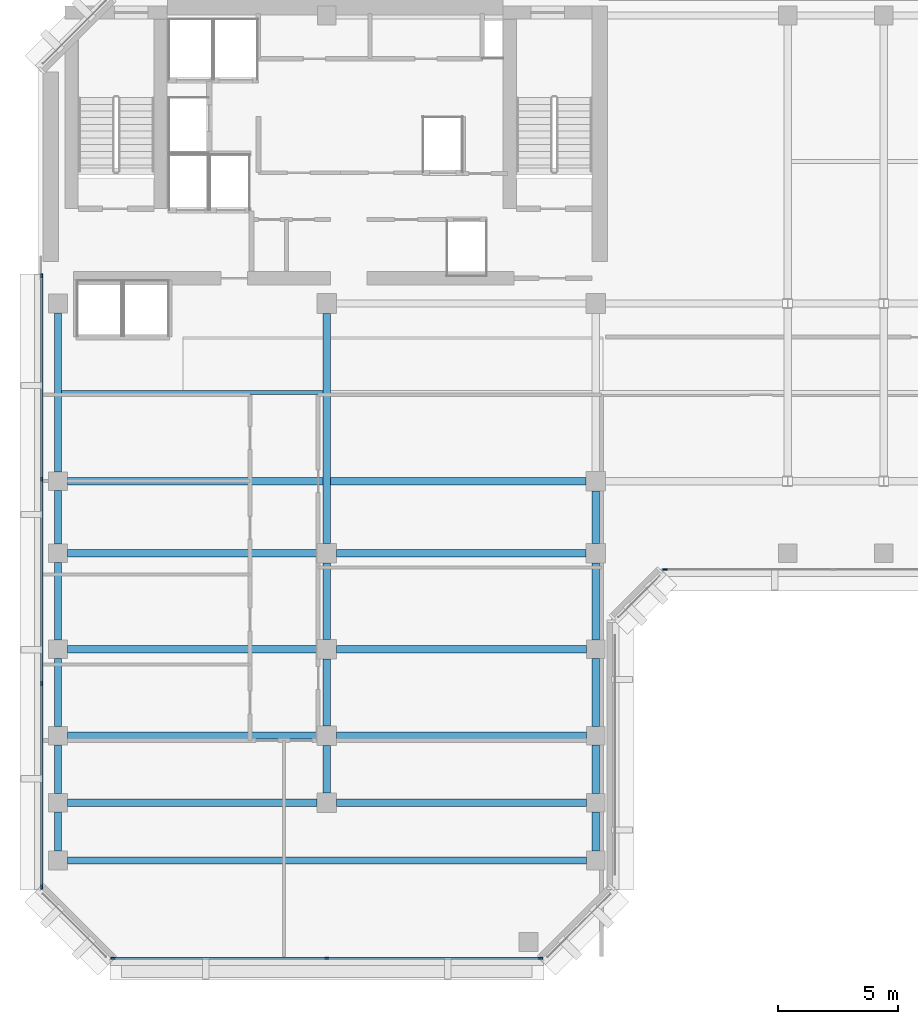
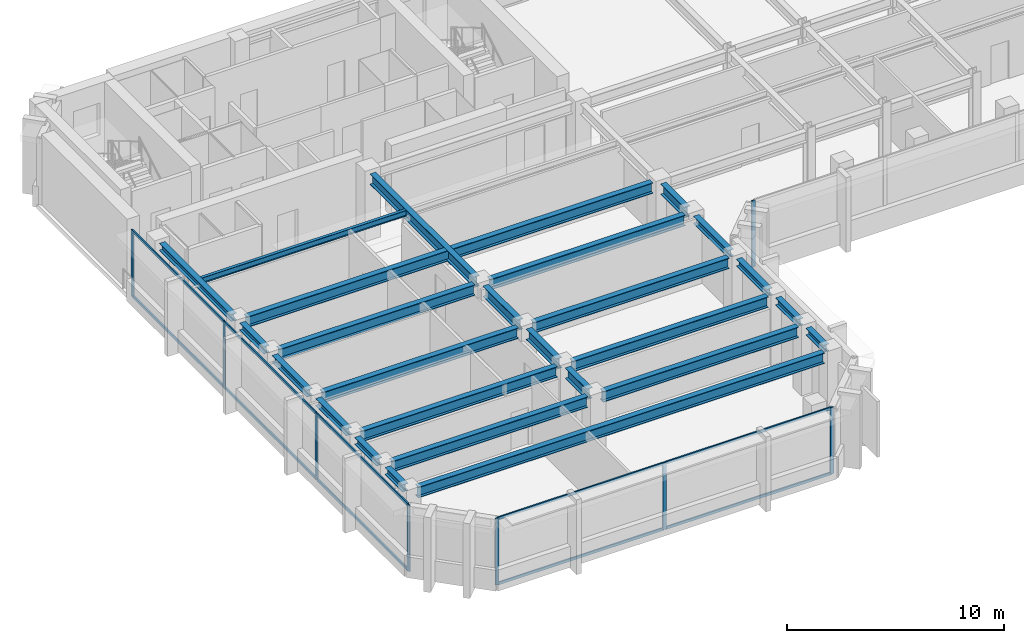
# One storey, part 2 of 12: 26 beams, 18 members, 3 elements without a shape of their own.
"""IFC4 building model written with IfcOpenShell, lengths in metres."""

from ifc_helpers import new_model, si_unit, direction, frame, origin, origin_2d, place, context, subcontext, project, spatial, rectangle, i_section, extrude, material, layer, layer_set, material_profile, profile_set, type_object, element, aggregate, save


model = new_model("IFC4")

# Units and contexts
model_context = context("Model", 3, precision=1e-05, world=origin(), true_north=direction((0.0, 1.0)))
body_context = subcontext(model_context, "Body", "Model", "MODEL_VIEW")
ifc_project = project(units=[si_unit("LENGTHUNIT", "METRE"), si_unit("AREAUNIT", "SQUARE_METRE"), si_unit("VOLUMEUNIT", "CUBIC_METRE"), si_unit("PLANEANGLEUNIT", "RADIAN"), si_unit("MASSUNIT", "GRAM", prefix="KILO")], contexts=[model_context])

# Site, building, storey
site_placement = place(None, origin())
site = spatial("IfcSite", under=ifc_project, at=site_placement, CompositionType="ELEMENT")
building_placement = place(site_placement, origin())
building = spatial("IfcBuilding", under=site, at=building_placement, Name="Kefirva Bronze Tower", CompositionType="ELEMENT")
storey_placement = place(building_placement, frame((0.0, 0.0, 268.2900390625)))
storey = spatial("IfcBuildingStorey", under=building, at=storey_placement, Name="L65", CompositionType="ELEMENT", Elevation=268.2900390625)

# Curtain wall, members
ifc_material_1 = material(Name="Bronze anodised aluminium", Category="aluminium")
ifc_layer = layer(ifc_material_1, 0.179931640625, Name="Bronze anodised aluminium")
ifc_layer_set = layer_set([ifc_layer], Name="Bronze anodised aluminium")
curtain_wall_type = type_object("IfcCurtainWallType", Name="Unitised Bronze Ribbon Curtain Wall Zone 3", PredefinedType="USERDEFINED", material=ifc_layer_set)
curtain_wall_1_placement = place(storey_placement, origin())
curtain_wall_1 = element("IfcCurtainWall", 1, at=curtain_wall_1_placement, inside=storey, type_object=curtain_wall_type, Name="L65 Curtain Wall 1", ObjectType="UNITISED CURTAIN WALL", PredefinedType="USERDEFINED")
ifc_material_profile_1 = material_profile(ifc_material_1, rectangle(XDim=0.074951171875, YDim=0.179931640625, at=origin_2d()), Name="ALU 75x180")
ifc_profile_set_1 = profile_set([ifc_material_profile_1], Name="Bronze anodised aluminium")
member_type_1 = type_object("IfcMemberType", Name="Bronze Mullion 75x180", PredefinedType="MULLION", material=ifc_profile_set_1)
member_1_placement = place(storey_placement, frame((3.092529296875, 5.919921875, 0.0), z_axis=(0.0, 0.0, 1.0), x_axis=(0.0, 1.0, 0.0)))
member_1 = element("IfcMember", 2, at=member_1_placement, type_object=member_type_1, Name="CW-03 mullion 1", PredefinedType="MULLION", context=body_context, shape_type="SweptSolid", body=[
    extrude(rectangle(XDim=0.074951171875, YDim=0.179931640625, at=origin_2d()), origin(), (0.0, 0.0, 1.0), 3.739990234375),
])
member_2_placement = place(storey_placement, frame((12.0, 5.919921875, 0.0), z_axis=(0.0, 0.0, 1.0), x_axis=(0.0, 1.0, 0.0)))
member_2 = element("IfcMember", 3, at=member_2_placement, type_object=member_type_1, Name="CW-03 mullion 2", PredefinedType="MULLION", context=body_context, shape_type="SweptSolid", body=[
    extrude(rectangle(XDim=0.074951171875, YDim=0.179931640625, at=origin_2d()), origin(), (0.0, 0.0, 1.0), 3.739990234375),
])
member_3_placement = place(storey_placement, frame((20.907470703125, 5.919921875, 0.0), z_axis=(0.0, 0.0, 1.0), x_axis=(0.0, 1.0, 0.0)))
member_3 = element("IfcMember", 4, at=member_3_placement, type_object=member_type_1, Name="CW-03 mullion 3", PredefinedType="MULLION", context=body_context, shape_type="SweptSolid", body=[
    extrude(rectangle(XDim=0.074951171875, YDim=0.179931640625, at=origin_2d()), origin(), (0.0, 0.0, 1.0), 3.739990234375),
])

# Curtain wall, member
curtain_wall_2_placement = place(storey_placement, origin())
curtain_wall_2 = element("IfcCurtainWall", 5, at=curtain_wall_2_placement, inside=storey, type_object=curtain_wall_type, Name="L65 Curtain Wall 2", ObjectType="UNITISED CURTAIN WALL", PredefinedType="USERDEFINED")
member_4_placement = place(storey_placement, frame((26.092529296875, 22.1201171875, 0.0), z_axis=(0.0, 0.0, 1.0), x_axis=(0.0, 1.0, 0.0)))
member_4 = element("IfcMember", 6, at=member_4_placement, type_object=member_type_1, Name="CW-03 mullion 1", PredefinedType="MULLION", context=body_context, shape_type="SweptSolid", body=[
    extrude(rectangle(XDim=0.074951171875, YDim=0.179931640625, at=origin_2d()), origin(), (0.0, 0.0, 1.0), 3.739990234375),
])
aggregate(curtain_wall_2, [member_4])

# Curtain wall, members
curtain_wall_3_placement = place(storey_placement, origin())
curtain_wall_3 = element("IfcCurtainWall", 7, at=curtain_wall_3_placement, inside=storey, type_object=curtain_wall_type, Name="L65 Curtain Wall 5", ObjectType="UNITISED CURTAIN WALL", PredefinedType="USERDEFINED")
member_5_placement = place(storey_placement, frame((0.1201171875, 34.357421875, 0.0), z_axis=(0.0, 0.0, 1.0), x_axis=(1.0, 0.0, 0.0)))
member_5 = element("IfcMember", 8, at=member_5_placement, type_object=member_type_1, Name="CW-03 mullion 1", PredefinedType="MULLION", context=body_context, shape_type="SweptSolid", body=[
    extrude(rectangle(XDim=0.074951171875, YDim=0.179931640625, at=origin_2d()), origin(), (0.0, 0.0, 1.0), 3.739990234375),
])
member_6_placement = place(storey_placement, frame((0.1201171875, 25.881591796875, 0.0), z_axis=(0.0, 0.0, 1.0), x_axis=(1.0, 0.0, 0.0)))
member_6 = element("IfcMember", 9, at=member_6_placement, type_object=member_type_1, Name="CW-03 mullion 2", PredefinedType="MULLION", context=body_context, shape_type="SweptSolid", body=[
    extrude(rectangle(XDim=0.074951171875, YDim=0.179931640625, at=origin_2d()), origin(), (0.0, 0.0, 1.0), 3.739990234375),
])
member_7_placement = place(storey_placement, frame((0.1201171875, 17.368408203125, 0.0), z_axis=(0.0, 0.0, 1.0), x_axis=(1.0, 0.0, 0.0)))
member_7 = element("IfcMember", 10, at=member_7_placement, type_object=member_type_1, Name="CW-03 mullion 3", PredefinedType="MULLION", context=body_context, shape_type="SweptSolid", body=[
    extrude(rectangle(XDim=0.074951171875, YDim=0.179931640625, at=origin_2d()), origin(), (0.0, 0.0, 1.0), 3.739990234375),
])
member_8_placement = place(storey_placement, frame((0.1201171875, 8.892578125, 0.0), z_axis=(0.0, 0.0, 1.0), x_axis=(1.0, 0.0, 0.0)))
member_8 = element("IfcMember", 11, at=member_8_placement, type_object=member_type_1, Name="CW-03 mullion 4", PredefinedType="MULLION", context=body_context, shape_type="SweptSolid", body=[
    extrude(rectangle(XDim=0.074951171875, YDim=0.179931640625, at=origin_2d()), origin(), (0.0, 0.0, 1.0), 3.739990234375),
])

# Member
ifc_material_profile_2 = material_profile(ifc_material_1, rectangle(XDim=0.074951171875, YDim=0.14990234375, at=origin_2d()), Name="ALU 75x150")
ifc_profile_set_2 = profile_set([ifc_material_profile_2], Name="Bronze anodised aluminium")
member_type_2 = type_object("IfcMemberType", Name="Bronze Transom 75x150", PredefinedType="USERDEFINED", material=ifc_profile_set_2)
member_9_placement = place(storey_placement, frame((3.1298828125, 5.919921875, 0.037353515625), z_axis=(1.0, 0.0, 0.0), x_axis=(0.0, 1.0, 0.0)))
member_9 = element("IfcMember", 12, at=member_9_placement, type_object=member_type_2, Name="CW-03 transom 1.1", ObjectType="TRANSOM", PredefinedType="USERDEFINED", context=body_context, shape_type="SweptSolid", body=[
    extrude(rectangle(XDim=0.074951171875, YDim=0.14990234375, at=origin_2d()), origin(), (0.0, 0.0, 1.0), 8.83251953125),
])

member_10_placement = place(storey_placement, frame((3.1298828125, 5.919921875, 3.702392578125), z_axis=(1.0, 0.0, 0.0), x_axis=(0.0, 1.0, 0.0)))
member_10 = element("IfcMember", 13, at=member_10_placement, type_object=member_type_2, Name="CW-03 transom 1.2", ObjectType="TRANSOM", PredefinedType="USERDEFINED", context=body_context, shape_type="SweptSolid", body=[
    extrude(rectangle(XDim=0.074951171875, YDim=0.14990234375, at=origin_2d()), origin(), (0.0, 0.0, 1.0), 8.83251953125),
])

member_11_placement = place(storey_placement, frame((12.03759765625, 5.919921875, 0.037353515625), z_axis=(1.0, 0.0, 0.0), x_axis=(0.0, 1.0, 0.0)))
member_11 = element("IfcMember", 14, at=member_11_placement, type_object=member_type_2, Name="CW-03 transom 2.1", ObjectType="TRANSOM", PredefinedType="USERDEFINED", context=body_context, shape_type="SweptSolid", body=[
    extrude(rectangle(XDim=0.074951171875, YDim=0.14990234375, at=origin_2d()), origin(), (0.0, 0.0, 1.0), 8.83251953125),
])

member_12_placement = place(storey_placement, frame((12.03759765625, 5.919921875, 3.702392578125), z_axis=(1.0, 0.0, 0.0), x_axis=(0.0, 1.0, 0.0)))
member_12 = element("IfcMember", 15, at=member_12_placement, type_object=member_type_2, Name="CW-03 transom 2.2", ObjectType="TRANSOM", PredefinedType="USERDEFINED", context=body_context, shape_type="SweptSolid", body=[
    extrude(rectangle(XDim=0.074951171875, YDim=0.14990234375, at=origin_2d()), origin(), (0.0, 0.0, 1.0), 8.83251953125),
])

aggregate(curtain_wall_1, [member_1, member_2, member_3, member_9, member_10, member_11, member_12])

member_13_placement = place(storey_placement, frame((0.1201171875, 34.320068359375, 0.037353515625), z_axis=(0.0, -1.0, 0.0), x_axis=(1.0, 0.0, 0.0)))
member_13 = element("IfcMember", 16, at=member_13_placement, type_object=member_type_2, Name="CW-03 transom 1.1", ObjectType="TRANSOM", PredefinedType="USERDEFINED", context=body_context, shape_type="SweptSolid", body=[
    extrude(rectangle(XDim=0.074951171875, YDim=0.14990234375, at=origin_2d()), origin(), (0.0, 0.0, 1.0), 8.40087890625),
])

member_14_placement = place(storey_placement, frame((0.1201171875, 34.320068359375, 3.702392578125), z_axis=(0.0, -1.0, 0.0), x_axis=(1.0, 0.0, 0.0)))
member_14 = element("IfcMember", 17, at=member_14_placement, type_object=member_type_2, Name="CW-03 transom 1.2", ObjectType="TRANSOM", PredefinedType="USERDEFINED", context=body_context, shape_type="SweptSolid", body=[
    extrude(rectangle(XDim=0.074951171875, YDim=0.14990234375, at=origin_2d()), origin(), (0.0, 0.0, 1.0), 8.40087890625),
])

member_15_placement = place(storey_placement, frame((0.1201171875, 25.84423828125, 0.037353515625), z_axis=(0.0, -1.0, 0.0), x_axis=(1.0, 0.0, 0.0)))
member_15 = element("IfcMember", 18, at=member_15_placement, type_object=member_type_2, Name="CW-03 transom 2.1", ObjectType="TRANSOM", PredefinedType="USERDEFINED", context=body_context, shape_type="SweptSolid", body=[
    extrude(rectangle(XDim=0.074951171875, YDim=0.14990234375, at=origin_2d()), origin(), (0.0, 0.0, 1.0), 8.4384765625),
])

member_16_placement = place(storey_placement, frame((0.1201171875, 25.84423828125, 3.702392578125), z_axis=(0.0, -1.0, 0.0), x_axis=(1.0, 0.0, 0.0)))
member_16 = element("IfcMember", 19, at=member_16_placement, type_object=member_type_2, Name="CW-03 transom 2.2", ObjectType="TRANSOM", PredefinedType="USERDEFINED", context=body_context, shape_type="SweptSolid", body=[
    extrude(rectangle(XDim=0.074951171875, YDim=0.14990234375, at=origin_2d()), origin(), (0.0, 0.0, 1.0), 8.4384765625),
])

member_17_placement = place(storey_placement, frame((0.1201171875, 17.330810546875, 0.037353515625), z_axis=(0.0, -1.0, 0.0), x_axis=(1.0, 0.0, 0.0)))
member_17 = element("IfcMember", 20, at=member_17_placement, type_object=member_type_2, Name="CW-03 transom 3.1", ObjectType="TRANSOM", PredefinedType="USERDEFINED", context=body_context, shape_type="SweptSolid", body=[
    extrude(rectangle(XDim=0.074951171875, YDim=0.14990234375, at=origin_2d()), origin(), (0.0, 0.0, 1.0), 8.40087890625),
])

member_18_placement = place(storey_placement, frame((0.1201171875, 17.330810546875, 3.702392578125), z_axis=(0.0, -1.0, 0.0), x_axis=(1.0, 0.0, 0.0)))
member_18 = element("IfcMember", 21, at=member_18_placement, type_object=member_type_2, Name="CW-03 transom 3.2", ObjectType="TRANSOM", PredefinedType="USERDEFINED", context=body_context, shape_type="SweptSolid", body=[
    extrude(rectangle(XDim=0.074951171875, YDim=0.14990234375, at=origin_2d()), origin(), (0.0, 0.0, 1.0), 8.40087890625),
])

aggregate(curtain_wall_3, [member_5, member_6, member_7, member_8, member_13, member_14, member_15, member_16, member_17, member_18])

# Beams
ifc_material_2 = material(Name="Steel S355", Category="steel")
ifc_material_profile_3 = material_profile(ifc_material_2, i_section(OverallWidth=0.159912109375, OverallDepth=0.330078125, WebThickness=0.007568359375, FlangeThickness=0.011474609375, at=origin_2d()), Name="IPE 330")
ifc_profile_set_3 = profile_set([ifc_material_profile_3], Name="Steel S355")
beam_type_1 = type_object("IfcBeamType", Name="Steel Floor Joist IPE 330", PredefinedType="JOIST", material=ifc_profile_set_3)
beam_1_placement = place(storey_placement, frame((0.949951171875, 29.489990234375, 3.574951171875), z_axis=(1.0, 0.0, 0.0), x_axis=(0.0, 1.0, 0.0)))
element("IfcBeam", 22, at=beam_1_placement, inside=storey, type_object=beam_type_1, Name="L65 JST-L65-0-294", PredefinedType="JOIST", context=body_context, shape_type="SweptSolid", body=[
    extrude(i_section(OverallWidth=0.159912109375, OverallDepth=0.330078125, WebThickness=0.007568359375, FlangeThickness=0.011474609375, at=origin_2d()), origin(), (0.0, 0.0, 1.0), 10.900146484375),
])
ifc_material_profile_4 = material_profile(ifc_material_2, i_section(OverallWidth=0.300048828125, OverallDepth=0.60009765625, WebThickness=0.015380859375, FlangeThickness=0.030029296875, at=origin_2d()), Name="HEB 600")
ifc_profile_set_4 = profile_set([ifc_material_profile_4], Name="Steel S355")
beam_type_2 = type_object("IfcBeamType", Name="Steel Girder HEB 600", PredefinedType="USERDEFINED", material=ifc_profile_set_4)
beam_2_placement = place(storey_placement, frame((1.18994140625, 10.0, 3.43994140625), z_axis=(1.0, 0.0, 0.0), x_axis=(0.0, 1.0, 0.0)))
element("IfcBeam", 23, at=beam_2_placement, inside=storey, type_object=beam_type_2, Name="L65 BM-L65-EW-0-100", ObjectType="GIRDER", PredefinedType="USERDEFINED", context=body_context, shape_type="SweptSolid", body=[
    extrude(i_section(OverallWidth=0.300048828125, OverallDepth=0.60009765625, WebThickness=0.015380859375, FlangeThickness=0.030029296875, at=origin_2d()), origin(), (0.0, 0.0, 1.0), 21.6201171875),
])
for number, where, z_axis, x_axis, name in (
    (24, (1.18994140625, 12.39990234375, 3.43994140625), (1.0, 0.0, 0.0), (0.0, 1.0, 0.0), "L65 BM-L65-EW-0-124"),
    (25, (12.409912109375, 12.39990234375, 3.43994140625), (1.0, 0.0, 0.0), (0.0, 1.0, 0.0), "L65 BM-L65-EW-12-124"),
    (26, (1.18994140625, 15.199951171875, 3.43994140625), (1.0, 0.0, 0.0), (0.0, 1.0, 0.0), "L65 BM-L65-EW-0-152"),
    (27, (12.409912109375, 15.199951171875, 3.43994140625), (1.0, 0.0, 0.0), (0.0, 1.0, 0.0), "L65 BM-L65-EW-12-152"),
    (28, (1.18994140625, 18.800048828125, 3.43994140625), (1.0, 0.0, 0.0), (0.0, 1.0, 0.0), "L65 BM-L65-EW-0-188"),
    (29, (12.409912109375, 18.800048828125, 3.43994140625), (1.0, 0.0, 0.0), (0.0, 1.0, 0.0), "L65 BM-L65-EW-12-188"),
    (30, (1.18994140625, 22.800048828125, 3.43994140625), (1.0, 0.0, 0.0), (0.0, 1.0, 0.0), "L65 BM-L65-EW-0-228"),
):
    element("IfcBeam", number, at=place(storey_placement, frame(where, z_axis=z_axis, x_axis=x_axis)), inside=storey, type_object=beam_type_2, Name=name, ObjectType="GIRDER", PredefinedType="USERDEFINED", context=body_context, shape_type="SweptSolid", body=[
        extrude(i_section(OverallWidth=0.300048828125, OverallDepth=0.60009765625, WebThickness=0.015380859375, FlangeThickness=0.030029296875, at=origin_2d()), origin(), (0.0, 0.0, 1.0), 10.400146484375),
    ])
beam_3_placement = place(storey_placement, frame((12.409912109375, 22.800048828125, 3.43994140625), z_axis=(1.0, 0.0, 0.0), x_axis=(0.0, 1.0, 0.0)))
element("IfcBeam", 31, at=beam_3_placement, inside=storey, type_object=beam_type_2, Name="L65 BM-L65-EW-12-228", ObjectType="GIRDER", PredefinedType="USERDEFINED", context=body_context, shape_type="SweptSolid", body=[
    extrude(i_section(OverallWidth=0.300048828125, OverallDepth=0.60009765625, WebThickness=0.015380859375, FlangeThickness=0.030029296875, at=origin_2d()), origin(), (0.0, 0.0, 1.0), 10.380126953125),
])
beam_4_placement = place(storey_placement, frame((1.18994140625, 25.800048828125, 3.43994140625), z_axis=(1.0, 0.0, 0.0), x_axis=(0.0, 1.0, 0.0)))
element("IfcBeam", 32, at=beam_4_placement, inside=storey, type_object=beam_type_2, Name="L65 BM-L65-EW-0-258", ObjectType="GIRDER", PredefinedType="USERDEFINED", context=body_context, shape_type="SweptSolid", body=[
    extrude(i_section(OverallWidth=0.300048828125, OverallDepth=0.60009765625, WebThickness=0.015380859375, FlangeThickness=0.030029296875, at=origin_2d()), origin(), (0.0, 0.0, 1.0), 21.60009765625),
])
beam_5_placement = place(storey_placement, frame((12.0, 12.81005859375, 3.43994140625), z_axis=(0.0, 1.0, 0.0), x_axis=(-1.0, 0.0, 0.0)))
element("IfcBeam", 33, at=beam_5_placement, inside=storey, type_object=beam_type_2, Name="L65 BM-L65-NS-120-12", ObjectType="GIRDER", PredefinedType="USERDEFINED", context=body_context, shape_type="SweptSolid", body=[
    extrude(i_section(OverallWidth=0.300048828125, OverallDepth=0.60009765625, WebThickness=0.015380859375, FlangeThickness=0.030029296875, at=origin_2d()), origin(), (0.0, 0.0, 1.0), 1.97998046875),
])
beam_6_placement = place(storey_placement, frame((12.0, 15.610107421875, 3.43994140625), z_axis=(0.0, 1.0, 0.0), x_axis=(-1.0, 0.0, 0.0)))
element("IfcBeam", 34, at=beam_6_placement, inside=storey, type_object=beam_type_2, Name="L65 BM-L65-NS-120-15", ObjectType="GIRDER", PredefinedType="USERDEFINED", context=body_context, shape_type="SweptSolid", body=[
    extrude(i_section(OverallWidth=0.300048828125, OverallDepth=0.60009765625, WebThickness=0.015380859375, FlangeThickness=0.030029296875, at=origin_2d()), origin(), (0.0, 0.0, 1.0), 2.77978515625),
])
beam_7_placement = place(storey_placement, frame((12.0, 19.2099609375, 3.43994140625), z_axis=(0.0, 1.0, 0.0), x_axis=(-1.0, 0.0, 0.0)))
element("IfcBeam", 35, at=beam_7_placement, inside=storey, type_object=beam_type_2, Name="L65 BM-L65-NS-120-18", ObjectType="GIRDER", PredefinedType="USERDEFINED", context=body_context, shape_type="SweptSolid", body=[
    extrude(i_section(OverallWidth=0.300048828125, OverallDepth=0.60009765625, WebThickness=0.015380859375, FlangeThickness=0.030029296875, at=origin_2d()), origin(), (0.0, 0.0, 1.0), 3.179931640625),
])
beam_8_placement = place(storey_placement, frame((12.0, 23.2099609375, 3.43994140625), z_axis=(0.0, 1.0, 0.0), x_axis=(-1.0, 0.0, 0.0)))
element("IfcBeam", 36, at=beam_8_placement, inside=storey, type_object=beam_type_2, Name="L65 BM-L65-NS-120-22", ObjectType="GIRDER", PredefinedType="USERDEFINED", context=body_context, shape_type="SweptSolid", body=[
    extrude(i_section(OverallWidth=0.300048828125, OverallDepth=0.60009765625, WebThickness=0.015380859375, FlangeThickness=0.030029296875, at=origin_2d()), origin(), (0.0, 0.0, 1.0), 9.580078125),
])
beam_9_placement = place(storey_placement, frame((23.199951171875, 23.2099609375, 3.43994140625), z_axis=(0.0, 1.0, 0.0), x_axis=(-1.0, 0.0, 0.0)))
element("IfcBeam", 37, at=beam_9_placement, inside=storey, type_object=beam_type_2, Name="L65 BM-L65-NS-232-22", ObjectType="GIRDER", PredefinedType="USERDEFINED", context=body_context, shape_type="SweptSolid", body=[
    extrude(i_section(OverallWidth=0.300048828125, OverallDepth=0.60009765625, WebThickness=0.015380859375, FlangeThickness=0.030029296875, at=origin_2d()), origin(), (0.0, 0.0, 1.0), 2.179931640625),
])
ifc_material_profile_5 = material_profile(ifc_material_2, i_section(OverallWidth=0.300048828125, OverallDepth=0.39990234375, WebThickness=0.013427734375, FlangeThickness=0.02392578125, at=origin_2d()), Name="HEB 400")
ifc_profile_set_5 = profile_set([ifc_material_profile_5], Name="Steel S355")
beam_type_3 = type_object("IfcBeamType", Name="Steel Spandrel HEB 400 Ext", PredefinedType="SPANDREL", material=ifc_profile_set_5)
beam_10_placement = place(storey_placement, frame((0.800048828125, 10.389892578125, 3.5400390625), z_axis=(0.0, 1.0, 0.0), x_axis=(-1.0, 0.0, 0.0)))
element("IfcBeam", 38, at=beam_10_placement, inside=storey, type_object=beam_type_3, Name="L65 BM-L65-NS-8-10", PredefinedType="SPANDREL", context=body_context, shape_type="SweptSolid", body=[
    extrude(i_section(OverallWidth=0.300048828125, OverallDepth=0.39990234375, WebThickness=0.013427734375, FlangeThickness=0.02392578125, at=origin_2d()), origin(), (0.0, 0.0, 1.0), 1.6201171875),
])
beam_11_placement = place(storey_placement, frame((0.800048828125, 12.7900390625, 3.5400390625), z_axis=(0.0, 1.0, 0.0), x_axis=(-1.0, 0.0, 0.0)))
element("IfcBeam", 39, at=beam_11_placement, inside=storey, type_object=beam_type_3, Name="L65 BM-L65-NS-8-12", PredefinedType="SPANDREL", context=body_context, shape_type="SweptSolid", body=[
    extrude(i_section(OverallWidth=0.300048828125, OverallDepth=0.39990234375, WebThickness=0.013427734375, FlangeThickness=0.02392578125, at=origin_2d()), origin(), (0.0, 0.0, 1.0), 2.02001953125),
])
beam_12_placement = place(storey_placement, frame((0.800048828125, 15.590087890625, 3.5400390625), z_axis=(0.0, 1.0, 0.0), x_axis=(-1.0, 0.0, 0.0)))
element("IfcBeam", 40, at=beam_12_placement, inside=storey, type_object=beam_type_3, Name="L65 BM-L65-NS-8-15", PredefinedType="SPANDREL", context=body_context, shape_type="SweptSolid", body=[
    extrude(i_section(OverallWidth=0.300048828125, OverallDepth=0.39990234375, WebThickness=0.013427734375, FlangeThickness=0.02392578125, at=origin_2d()), origin(), (0.0, 0.0, 1.0), 2.81982421875),
])
beam_13_placement = place(storey_placement, frame((0.800048828125, 19.18994140625, 3.5400390625), z_axis=(0.0, 1.0, 0.0), x_axis=(-1.0, 0.0, 0.0)))
element("IfcBeam", 41, at=beam_13_placement, inside=storey, type_object=beam_type_3, Name="L65 BM-L65-NS-8-18", PredefinedType="SPANDREL", context=body_context, shape_type="SweptSolid", body=[
    extrude(i_section(OverallWidth=0.300048828125, OverallDepth=0.39990234375, WebThickness=0.013427734375, FlangeThickness=0.02392578125, at=origin_2d()), origin(), (0.0, 0.0, 1.0), 3.219970703125),
])
beam_14_placement = place(storey_placement, frame((0.800048828125, 23.18994140625, 3.5400390625), z_axis=(0.0, 1.0, 0.0), x_axis=(-1.0, 0.0, 0.0)))
element("IfcBeam", 42, at=beam_14_placement, inside=storey, type_object=beam_type_3, Name="L65 BM-L65-NS-8-22", PredefinedType="SPANDREL", context=body_context, shape_type="SweptSolid", body=[
    extrude(i_section(OverallWidth=0.300048828125, OverallDepth=0.39990234375, WebThickness=0.013427734375, FlangeThickness=0.02392578125, at=origin_2d()), origin(), (0.0, 0.0, 1.0), 2.219970703125),
])
beam_15_placement = place(storey_placement, frame((0.800048828125, 26.18994140625, 3.5400390625), z_axis=(0.0, 1.0, 0.0), x_axis=(-1.0, 0.0, 0.0)))
element("IfcBeam", 43, at=beam_15_placement, inside=storey, type_object=beam_type_3, Name="L65 BM-L65-NS-8-25", PredefinedType="SPANDREL", context=body_context, shape_type="SweptSolid", body=[
    extrude(i_section(OverallWidth=0.300048828125, OverallDepth=0.39990234375, WebThickness=0.013427734375, FlangeThickness=0.02392578125, at=origin_2d()), origin(), (0.0, 0.0, 1.0), 6.6201171875),
])
beam_16_placement = place(storey_placement, frame((23.199951171875, 10.389892578125, 3.5400390625), z_axis=(0.0, 1.0, 0.0), x_axis=(-1.0, 0.0, 0.0)))
element("IfcBeam", 44, at=beam_16_placement, inside=storey, type_object=beam_type_3, Name="L65 BM-L65-NS-232-10", PredefinedType="SPANDREL", context=body_context, shape_type="SweptSolid", body=[
    extrude(i_section(OverallWidth=0.300048828125, OverallDepth=0.39990234375, WebThickness=0.013427734375, FlangeThickness=0.02392578125, at=origin_2d()), origin(), (0.0, 0.0, 1.0), 1.6201171875),
])
beam_17_placement = place(storey_placement, frame((23.199951171875, 12.7900390625, 3.5400390625), z_axis=(0.0, 1.0, 0.0), x_axis=(-1.0, 0.0, 0.0)))
element("IfcBeam", 45, at=beam_17_placement, inside=storey, type_object=beam_type_3, Name="L65 BM-L65-NS-232-12", PredefinedType="SPANDREL", context=body_context, shape_type="SweptSolid", body=[
    extrude(i_section(OverallWidth=0.300048828125, OverallDepth=0.39990234375, WebThickness=0.013427734375, FlangeThickness=0.02392578125, at=origin_2d()), origin(), (0.0, 0.0, 1.0), 2.02001953125),
])
beam_18_placement = place(storey_placement, frame((23.199951171875, 15.590087890625, 3.5400390625), z_axis=(0.0, 1.0, 0.0), x_axis=(-1.0, 0.0, 0.0)))
element("IfcBeam", 46, at=beam_18_placement, inside=storey, type_object=beam_type_3, Name="L65 BM-L65-NS-232-15", PredefinedType="SPANDREL", context=body_context, shape_type="SweptSolid", body=[
    extrude(i_section(OverallWidth=0.300048828125, OverallDepth=0.39990234375, WebThickness=0.013427734375, FlangeThickness=0.02392578125, at=origin_2d()), origin(), (0.0, 0.0, 1.0), 2.81982421875),
])
beam_19_placement = place(storey_placement, frame((23.199951171875, 19.18994140625, 3.5400390625), z_axis=(0.0, 1.0, 0.0), x_axis=(-1.0, 0.0, 0.0)))
element("IfcBeam", 47, at=beam_19_placement, inside=storey, type_object=beam_type_3, Name="L65 BM-L65-NS-232-18", PredefinedType="SPANDREL", context=body_context, shape_type="SweptSolid", body=[
    extrude(i_section(OverallWidth=0.300048828125, OverallDepth=0.39990234375, WebThickness=0.013427734375, FlangeThickness=0.02392578125, at=origin_2d()), origin(), (0.0, 0.0, 1.0), 3.199951171875),
])

save(model, "model.ifc")
